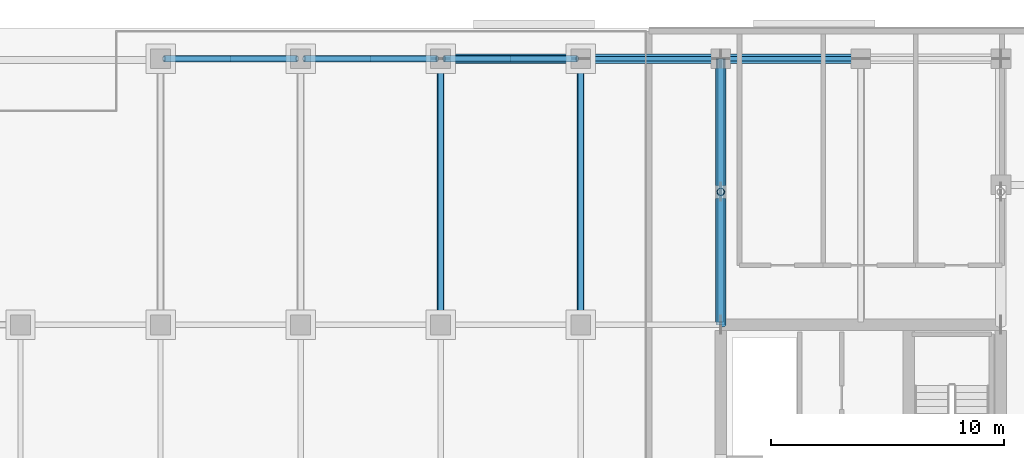
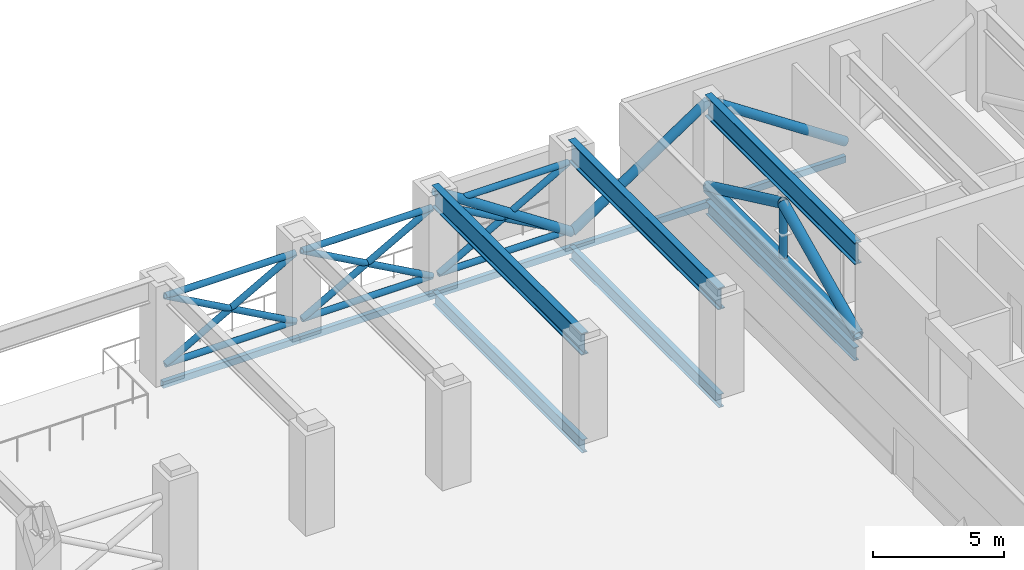
# One storey, part 5 of 18: 19 members, 11 beams.
"""IFC4 building model written with IfcOpenShell, lengths in metres."""

from ifc_helpers import new_model, si_unit, direction, frame, origin, origin_2d, place, context, subcontext, project, spatial, hollow_rectangle, hollow_circle, i_section, extrude, material, material_profile, profile_set, type_object, element, save


model = new_model("IFC4")

# Units and contexts
model_context = context("Model", 3, precision=1e-05, world=origin(), true_north=direction((0.0, 1.0)))
body_context = subcontext(model_context, "Body", "Model", "MODEL_VIEW")
ifc_project = project(units=[si_unit("LENGTHUNIT", "METRE"), si_unit("AREAUNIT", "SQUARE_METRE"), si_unit("VOLUMEUNIT", "CUBIC_METRE"), si_unit("PLANEANGLEUNIT", "RADIAN"), si_unit("MASSUNIT", "GRAM", prefix="KILO")], contexts=[model_context])

# Site, building, storey
site_placement = place(None, origin())
site = spatial("IfcSite", under=ifc_project, at=site_placement, CompositionType="ELEMENT")
building_placement = place(site_placement, origin())
building = spatial("IfcBuilding", under=site, at=building_placement, Name="Tanjung Sevakor Pilgrim Tower", CompositionType="ELEMENT")
storey_placement = place(building_placement, frame((0.0, 0.0, 172.919921875)))
storey = spatial("IfcBuildingStorey", under=building, at=storey_placement, Name="L48", CompositionType="ELEMENT", Elevation=172.919921875)

# Beams
ifc_material_1 = material(Name="Steel S355J2", Category="steel")
ifc_material_profile_1 = material_profile(ifc_material_1, i_section(OverallWidth=0.22900390625, OverallDepth=0.6123046875, WebThickness=0.011962890625, FlangeThickness=0.01953125, FilletRadius=0.0126953125, at=origin_2d()))
ifc_profile_set_1 = profile_set([ifc_material_profile_1], Name="Steel S355J2")
beam_type_1 = type_object("IfcBeamType", Name="BM-B-G4-UB_610x229x125", PredefinedType="BEAM", material=ifc_profile_set_1)
for number, where, z_axis, x_axis, name in (
    (1, (66.0, 42.60009765625, -0.5859375), (0.0, 1.0, 0.0), (-1.0, 0.0, 0.0), "L48 MAIN Girder 019"),
    (2, (72.0, 42.60009765625, -0.5859375), (0.0, 1.0, 0.0), (-1.0, 0.0, 0.0), "L48 MAIN Girder 022"),
):
    element("IfcBeam", number, at=place(storey_placement, frame(where, z_axis=z_axis, x_axis=x_axis)), inside=storey, type_object=beam_type_1, Name=name, PredefinedType="BEAM", context=body_context, shape_type="SweptSolid", body=[
        extrude(i_section(OverallWidth=0.22900390625, OverallDepth=0.6123046875, WebThickness=0.011962890625, FlangeThickness=0.01953125, FilletRadius=0.0126953125, at=origin_2d()), origin(), (0.0, 0.0, 1.0), 11.39990234375),
    ])
beam_placement = place(storey_placement, frame((78.0, 42.715087890625, -0.5859375), z_axis=(0.0, 1.0, 0.0), x_axis=(-1.0, 0.0, 0.0)))
element("IfcBeam", 3, at=beam_placement, inside=storey, type_object=beam_type_1, Name="L48 MAIN Girder 024", PredefinedType="BEAM", context=body_context, shape_type="SweptSolid", body=[
    extrude(i_section(OverallWidth=0.22900390625, OverallDepth=0.6123046875, WebThickness=0.011962890625, FlangeThickness=0.01953125, FilletRadius=0.0126953125, at=origin_2d()), origin(), (0.0, 0.0, 1.0), 11.284912109375),
])
ifc_material_2 = material(Name="Steel S460M", Category="steel")
ifc_material_profile_2 = material_profile(ifc_material_2, i_section(OverallWidth=0.302001953125, OverallDepth=1.008056640625, WebThickness=0.02099609375, FlangeThickness=0.0400390625, FilletRadius=0.030029296875, at=origin_2d()))
ifc_profile_set_2 = profile_set([ifc_material_profile_2], Name="Steel S460M")
beam_type_2 = type_object("IfcBeamType", Name="BM-B-G7-HE_1000M", PredefinedType="BEAM", material=ifc_profile_set_2)
for number, where, z_axis, x_axis, name in (
    (4, (66.0, 42.60009765625, 4.166015625), (0.0, 1.0, 0.0), (-1.0, 0.0, 0.0), "L48 Setback Transfer Girder North X66-1"),
    (5, (72.0, 42.60009765625, 4.166015625), (0.0, 1.0, 0.0), (-1.0, 0.0, 0.0), "L48 Setback Transfer Girder North X72-1"),
    (6, (78.0, 42.60009765625, 4.166015625), (0.0, 1.0, 0.0), (-1.0, 0.0, 0.0), "L48 Setback Transfer Girder North X78-1"),
):
    element("IfcBeam", number, at=place(storey_placement, frame(where, z_axis=z_axis, x_axis=x_axis)), inside=storey, type_object=beam_type_2, Name=name, PredefinedType="BEAM", context=body_context, shape_type="SweptSolid", body=[
        extrude(i_section(OverallWidth=0.302001953125, OverallDepth=1.008056640625, WebThickness=0.02099609375, FlangeThickness=0.0400390625, FilletRadius=0.030029296875, at=origin_2d()), origin(), (0.0, 0.0, 1.0), 11.39990234375),
    ])
ifc_material_3 = material(Name="Steel S355J2", Category="steel")
ifc_material_profile_3 = material_profile(ifc_material_3, hollow_rectangle(XDim=0.199951171875, YDim=0.300048828125, WallThickness=0.012451171875, at=origin_2d()))
ifc_profile_set_3 = profile_set([ifc_material_profile_3], Name="Steel S355J2")
beam_type_3 = type_object("IfcBeamType", Name="BM-B-SP3-RHS_300x200x12.5", PredefinedType="SPANDREL", material=ifc_profile_set_3)
for number, where, z_axis, x_axis, name in (
    (7, (54.0, 54.0, -0.429931640625), (1.0, 0.0, 0.0), (0.0, 1.0, 0.0), "L48 Spandrel MAIN N-08"),
    (8, (60.0, 54.0, -0.429931640625), (1.0, 0.0, 0.0), (0.0, 1.0, 0.0), "L48 Spandrel MAIN N-10"),
    (9, (66.0, 54.0, -0.429931640625), (1.0, 0.0, 0.0), (0.0, 1.0, 0.0), "L48 Spandrel MAIN N-12"),
    (10, (72.0, 54.0, -0.429931640625), (1.0, 0.0, 0.0), (0.0, 1.0, 0.0), "L48 Spandrel MAIN N-14"),
    (11, (78.0, 54.0, -0.429931640625), (1.0, 0.0, 0.0), (0.0, 1.0, 0.0), "L48 Spandrel MAIN N-16"),
):
    element("IfcBeam", number, at=place(storey_placement, frame(where, z_axis=z_axis, x_axis=x_axis)), inside=storey, type_object=beam_type_3, Name=name, PredefinedType="SPANDREL", context=body_context, shape_type="SweptSolid", body=[
        extrude(hollow_rectangle(XDim=0.199951171875, YDim=0.300048828125, WallThickness=0.012451171875, at=origin_2d()), origin(), (0.0, 0.0, 1.0), 6.0),
    ])

# Members
ifc_material_4 = material(Name="Steel S460M", Category="steel")
ifc_material_profile_4 = material_profile(ifc_material_4, hollow_circle(Radius=0.228515625, WallThickness=0.02490234375, at=origin_2d()))
ifc_profile_set_4 = profile_set([ifc_material_profile_4], Name="Steel S460M")
member_type_1 = type_object("IfcMemberType", Name="MEM-M-BR4-CHS_457x25", PredefinedType="BRACE", material=ifc_profile_set_4)
for number, where, z_axis, x_axis, name in (
    (12, (78.0, 42.60009765625, 0.35009765625), (0.0, 0.904352899591, 0.426785464843), (-1.0, 0.0, 0.0), "OT-2 L48 Outrigger Truss Diagonal 1 X78 N"),
    (13, (78.0, 48.300048828125, 3.0400390625), (0.0, 0.904352899591, -0.426785464843), (-1.0, 0.0, 0.0), "OT-2 L48 Outrigger Truss Diagonal 2 X78 N"),
):
    element("IfcMember", number, at=place(storey_placement, frame(where, z_axis=z_axis, x_axis=x_axis)), inside=storey, type_object=member_type_1, Name=name, PredefinedType="BRACE", context=body_context, shape_type="SweptSolid", body=[
        extrude(hollow_circle(Radius=0.228515625, WallThickness=0.02490234375, at=origin_2d()), origin(), (0.0, 0.0, 1.0), 6.302734375),
    ])
ifc_material_5 = material(Name="Steel S460M", Category="steel")
ifc_material_profile_5 = material_profile(ifc_material_5, hollow_circle(Radius=0.203125, WallThickness=0.02001953125, at=origin_2d()))
ifc_profile_set_5 = profile_set([ifc_material_profile_5], Name="Steel S460M")
member_type_2 = type_object("IfcMemberType", Name="MEM-M-BR5-CHS_406.4x20", PredefinedType="BRACE", material=ifc_profile_set_5)
for number, where, z_axis, x_axis, name in (
    (14, (66.0, 54.0, 4.336181640625), (0.832940851568, 0.0, -0.553362031395), (0.0, 1.0, 0.0), "BT-1 L48 Belt Truss Diagonal Brace N-04"),
    (15, (72.0, 54.0, 0.35009765625), (0.832940851568, 0.0, 0.553362031395), (0.0, 1.0, 0.0), "BT-1 L48 Belt Truss Diagonal Brace N-05"),
    (16, (78.0, 54.0, 4.336181640625), (0.832940851568, 0.0, -0.553362031395), (0.0, 1.0, 0.0), "BT-1 L48 Belt Truss Diagonal Brace N-06"),
):
    element("IfcMember", number, at=place(storey_placement, frame(where, z_axis=z_axis, x_axis=x_axis)), inside=storey, type_object=member_type_2, Name=name, PredefinedType="BRACE", context=body_context, shape_type="SweptSolid", body=[
        extrude(hollow_circle(Radius=0.203125, WallThickness=0.02001953125, at=origin_2d()), origin(), (0.0, 0.0, 1.0), 7.203369140625),
    ])
ifc_material_6 = material(Name="Steel S460M", Category="steel")
ifc_material_profile_6 = material_profile(ifc_material_6, hollow_rectangle(XDim=0.39990234375, YDim=0.39990234375, WallThickness=0.02001953125, at=origin_2d()))
ifc_profile_set_6 = profile_set([ifc_material_profile_6], Name="Steel S460M")
member_type_3 = type_object("IfcMemberType", Name="MEM-M-CH4-SHS_400x400x20", PredefinedType="CHORD", material=ifc_profile_set_6)
member_1_placement = place(storey_placement, frame((78.0, 42.60009765625, 0.35009765625), z_axis=(0.0, 1.0, 0.0), x_axis=(-1.0, 0.0, 0.0)))
element("IfcMember", 17, at=member_1_placement, inside=storey, type_object=member_type_3, Name="OT-1 L48 Outrigger Truss Chord X78 N", PredefinedType="CHORD", context=body_context, shape_type="SweptSolid", body=[
    extrude(hollow_rectangle(XDim=0.39990234375, YDim=0.39990234375, WallThickness=0.02001953125, at=origin_2d()), origin(), (0.0, 0.0, 1.0), 11.39990234375),
])
ifc_material_7 = material(Name="Steel S460M", Category="steel")
ifc_material_profile_7 = material_profile(ifc_material_7, hollow_circle(Radius=0.161865234375, WallThickness=0.01611328125, at=origin_2d()))
ifc_profile_set_7 = profile_set([ifc_material_profile_7], Name="Steel S460M")
member_type_4 = type_object("IfcMemberType", Name="MEM-M-ST4-CHS_323.9x16", PredefinedType="STRUT", material=ifc_profile_set_7)
member_2_placement = place(storey_placement, frame((78.0, 48.300048828125, 0.35009765625), z_axis=(0.0, 0.0, 1.0), x_axis=(1.0, 0.0, 0.0)))
element("IfcMember", 18, at=member_2_placement, inside=storey, type_object=member_type_4, Name="OT-3 L48 Outrigger Truss Strut X78 N", PredefinedType="STRUT", context=body_context, shape_type="SweptSolid", body=[
    extrude(hollow_circle(Radius=0.161865234375, WallThickness=0.01611328125, at=origin_2d()), origin(), (0.0, 0.0, 1.0), 2.68994140625),
])
ifc_material_8 = material(Name="Steel S355J2", Category="steel")
ifc_material_profile_8 = material_profile(ifc_material_8, hollow_circle(Radius=0.136474609375, WallThickness=0.012451171875, at=origin_2d()))
ifc_profile_set_8 = profile_set([ifc_material_profile_8], Name="Steel S355J2")
member_type_5 = type_object("IfcMemberType", Name="TYPE-MB-TURBINE", PredefinedType="USERDEFINED", material=ifc_profile_set_8)
for number, where, z_axis, x_axis, name in (
    (19, (54.14990234375, 54.0, 0.4501953125), (1.0, 0.0, 0.0), (0.0, 1.0, 0.0), "L48 Wind Turbine Shroud BOT WTURB-L48-N2"),
    (20, (54.14990234375, 54.0, 3.6201171875), (1.0, 0.0, 0.0), (0.0, 1.0, 0.0), "L48 Wind Turbine Shroud TOP WTURB-L48-N2"),
):
    element("IfcMember", number, at=place(storey_placement, frame(where, z_axis=z_axis, x_axis=x_axis)), inside=storey, type_object=member_type_5, Name=name, ObjectType="TURBINE_FRAME", PredefinedType="USERDEFINED", context=body_context, shape_type="SweptSolid", body=[
        extrude(hollow_circle(Radius=0.136474609375, WallThickness=0.012451171875, at=origin_2d()), origin(), (0.0, 0.0, 1.0), 5.7001953125),
    ])
for number, where, z_axis, x_axis, name in (
    (21, (54.14990234375, 54.0, 0.4501953125), (0.87395238411, 0.0, 0.486011553678), (0.0, 1.0, 0.0), "L48 Wind Turbine Shroud BL1 WTURB-L48-N2"),
    (22, (54.14990234375, 54.0, 3.6201171875), (0.87395238411, 0.0, -0.486011553678), (0.0, 1.0, 0.0), "L48 Wind Turbine Shroud BL2 WTURB-L48-N2"),
):
    element("IfcMember", number, at=place(storey_placement, frame(where, z_axis=z_axis, x_axis=x_axis)), inside=storey, type_object=member_type_5, Name=name, ObjectType="TURBINE_FRAME", PredefinedType="USERDEFINED", context=body_context, shape_type="SweptSolid", body=[
        extrude(hollow_circle(Radius=0.136474609375, WallThickness=0.012451171875, at=origin_2d()), origin(), (0.0, 0.0, 1.0), 6.522216796875),
    ])
for number, where, z_axis, x_axis, name in (
    (23, (60.14990234375, 54.0, 0.4501953125), (1.0, 0.0, 0.0), (0.0, 1.0, 0.0), "L48 Wind Turbine Shroud BOT WTURB-L48-N3"),
    (24, (60.14990234375, 54.0, 3.6201171875), (1.0, 0.0, 0.0), (0.0, 1.0, 0.0), "L48 Wind Turbine Shroud TOP WTURB-L48-N3"),
):
    element("IfcMember", number, at=place(storey_placement, frame(where, z_axis=z_axis, x_axis=x_axis)), inside=storey, type_object=member_type_5, Name=name, ObjectType="TURBINE_FRAME", PredefinedType="USERDEFINED", context=body_context, shape_type="SweptSolid", body=[
        extrude(hollow_circle(Radius=0.136474609375, WallThickness=0.012451171875, at=origin_2d()), origin(), (0.0, 0.0, 1.0), 5.7001953125),
    ])
for number, where, z_axis, x_axis, name in (
    (25, (60.14990234375, 54.0, 0.4501953125), (0.87395238411, 0.0, 0.486011553678), (0.0, 1.0, 0.0), "L48 Wind Turbine Shroud BL1 WTURB-L48-N3"),
    (26, (60.14990234375, 54.0, 3.6201171875), (0.87395238411, 0.0, -0.486011553678), (0.0, 1.0, 0.0), "L48 Wind Turbine Shroud BL2 WTURB-L48-N3"),
):
    element("IfcMember", number, at=place(storey_placement, frame(where, z_axis=z_axis, x_axis=x_axis)), inside=storey, type_object=member_type_5, Name=name, ObjectType="TURBINE_FRAME", PredefinedType="USERDEFINED", context=body_context, shape_type="SweptSolid", body=[
        extrude(hollow_circle(Radius=0.136474609375, WallThickness=0.012451171875, at=origin_2d()), origin(), (0.0, 0.0, 1.0), 6.522216796875),
    ])
for number, where, z_axis, x_axis, name in (
    (27, (66.14990234375, 54.0, 0.4501953125), (1.0, 0.0, 0.0), (0.0, 1.0, 0.0), "L48 Wind Turbine Shroud BOT WTURB-L48-N4"),
    (28, (66.14990234375, 54.0, 3.6201171875), (1.0, 0.0, 0.0), (0.0, 1.0, 0.0), "L48 Wind Turbine Shroud TOP WTURB-L48-N4"),
):
    element("IfcMember", number, at=place(storey_placement, frame(where, z_axis=z_axis, x_axis=x_axis)), inside=storey, type_object=member_type_5, Name=name, ObjectType="TURBINE_FRAME", PredefinedType="USERDEFINED", context=body_context, shape_type="SweptSolid", body=[
        extrude(hollow_circle(Radius=0.136474609375, WallThickness=0.012451171875, at=origin_2d()), origin(), (0.0, 0.0, 1.0), 5.7001953125),
    ])
for number, where, z_axis, x_axis, name in (
    (29, (66.14990234375, 54.0, 0.4501953125), (0.87395238411, 0.0, 0.486011553678), (0.0, 1.0, 0.0), "L48 Wind Turbine Shroud BL1 WTURB-L48-N4"),
    (30, (66.14990234375, 54.0, 3.6201171875), (0.87395238411, 0.0, -0.486011553678), (0.0, 1.0, 0.0), "L48 Wind Turbine Shroud BL2 WTURB-L48-N4"),
):
    element("IfcMember", number, at=place(storey_placement, frame(where, z_axis=z_axis, x_axis=x_axis)), inside=storey, type_object=member_type_5, Name=name, ObjectType="TURBINE_FRAME", PredefinedType="USERDEFINED", context=body_context, shape_type="SweptSolid", body=[
        extrude(hollow_circle(Radius=0.136474609375, WallThickness=0.012451171875, at=origin_2d()), origin(), (0.0, 0.0, 1.0), 6.522216796875),
    ])

save(model, "model.ifc")
